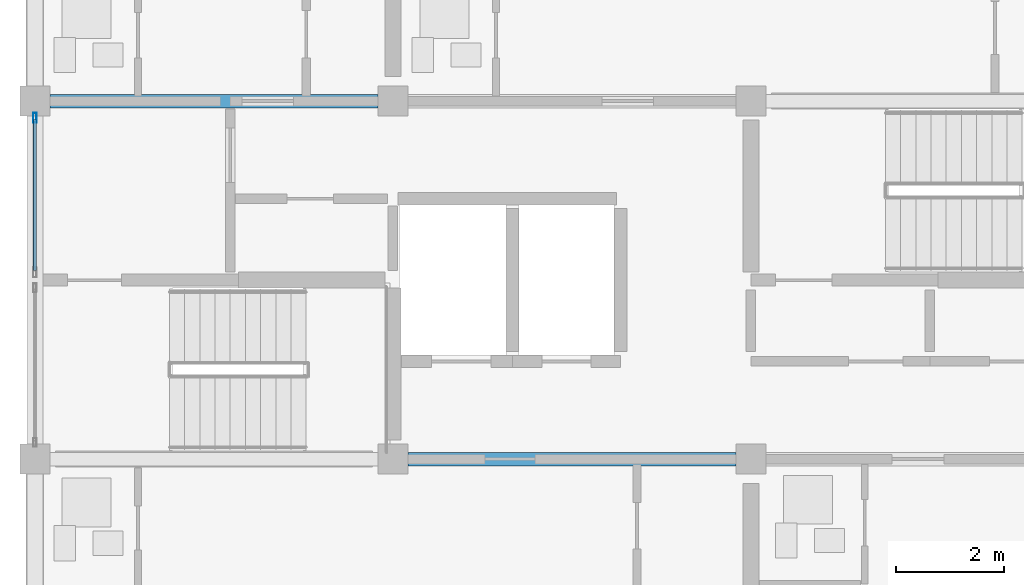
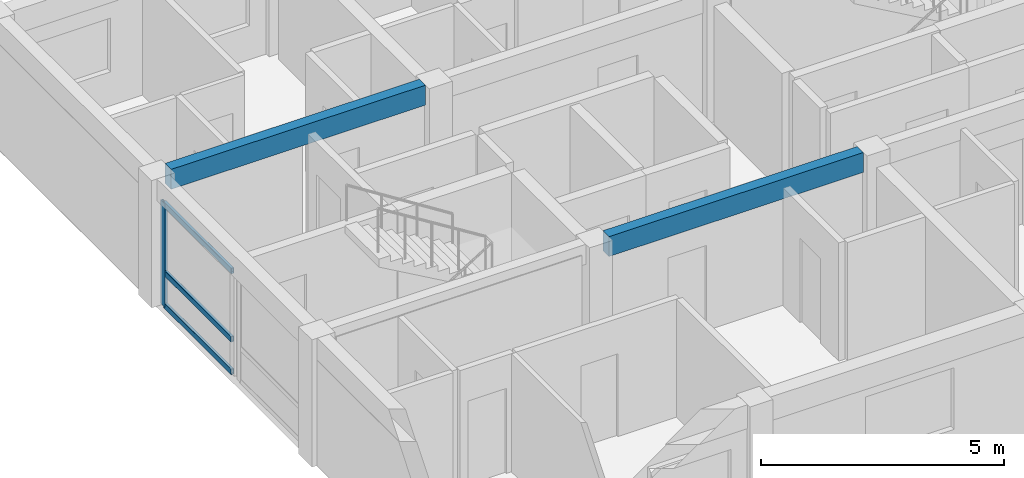
# One storey, part 16 of 53: 4 members, 2 beams, 1 element without a shape of its own.
"""IFC4 building model written with IfcOpenShell, lengths in metres."""

from ifc_helpers import new_model, si_unit, direction, frame, origin, origin_2d, place, context, subcontext, project, spatial, rectangle, hollow_rectangle, extrude, material, material_profile, profile_set, type_object, element, aggregate, save


model = new_model("IFC4")

# Units and contexts
model_context = context("Model", 3, precision=1e-05, world=origin(), true_north=direction((0.0, 1.0)))
body_context = subcontext(model_context, "Body", "Model", "MODEL_VIEW")
ifc_project = project(units=[si_unit("LENGTHUNIT", "METRE"), si_unit("AREAUNIT", "SQUARE_METRE"), si_unit("VOLUMEUNIT", "CUBIC_METRE"), si_unit("PLANEANGLEUNIT", "RADIAN"), si_unit("MASSUNIT", "GRAM", prefix="KILO")], contexts=[model_context])

# Site, building, storey
site_placement = place(None, origin())
site = spatial("IfcSite", under=ifc_project, at=site_placement, CompositionType="ELEMENT")
building_placement = place(site_placement, origin())
building = spatial("IfcBuilding", under=site, at=building_placement, Name="Kernevlak Ridge Housing Community", CompositionType="ELEMENT")
storey_placement = place(building_placement, frame((0.0, 0.0, 24.39990234375)))
storey = spatial("IfcBuildingStorey", under=building, at=storey_placement, Name="L07", CompositionType="ELEMENT", Elevation=24.39990234375)

# Beams
ifc_material_1 = material(Name="Concrete C35/45", Category="concrete")
ifc_material_profile_1 = material_profile(ifc_material_1, rectangle(XDim=0.25, YDim=0.5, at=origin_2d()), Name="RC 250x500")
ifc_profile_set_1 = profile_set([ifc_material_profile_1], Name="Concrete C35/45")
beam_type = type_object("IfcBeamType", Name="B-06", PredefinedType="T_BEAM", material=ifc_profile_set_1)
beam_1_placement = place(storey_placement, frame((22.47509765625, 82.60009765625, 2.9501953125), z_axis=(1.0, 0.0, 0.0), x_axis=(0.0, 1.0, 0.0)))
element("IfcBeam", 1, at=beam_1_placement, inside=storey, type_object=beam_type, Name="Beam B-06 L07 245", PredefinedType="T_BEAM", context=body_context, shape_type="SweptSolid", body=[
    extrude(rectangle(XDim=0.25, YDim=0.5, at=origin_2d()), origin(), (0.0, 0.0, 1.0), 6.0498046875),
])
beam_2_placement = place(storey_placement, frame((15.875, 89.199951171875, 2.9501953125), z_axis=(1.0, 0.0, 0.0), x_axis=(0.0, 1.0, 0.0)))
element("IfcBeam", 2, at=beam_2_placement, inside=storey, type_object=beam_type, Name="Beam B-06 L07 249", PredefinedType="T_BEAM", context=body_context, shape_type="SweptSolid", body=[
    extrude(rectangle(XDim=0.25, YDim=0.5, at=origin_2d()), origin(), (0.0, 0.0, 1.0), 6.050048828125),
])

# Curtain wall, members
ifc_material_2 = material(Name="Aluminium EN AW-6060 anodised and laminated glass", Category="aluminium")
curtain_wall_type = type_object("IfcCurtainWallType", Name="CW-08", PredefinedType="NOTDEFINED", material=ifc_material_2)
curtain_wall_placement = place(storey_placement, origin())
curtain_wall = element("IfcCurtainWall", 3, at=curtain_wall_placement, inside=storey, type_object=curtain_wall_type, Name="Curtain wall CW-08 CW-L07-023", PredefinedType="NOTDEFINED")
ifc_material_3 = material(Name="Aluminium EN AW-6060 anodised", Category="aluminium")
ifc_material_profile_2 = material_profile(ifc_material_3, hollow_rectangle(XDim=0.06494140625, YDim=0.179931640625, WallThickness=0.00439453125, InnerFilletRadius=0.001953125, OuterFilletRadius=0.00439453125, at=origin_2d()), Name="ALU 65x180x4.5")
ifc_profile_set_2 = profile_set([ifc_material_profile_2], Name="Aluminium EN AW-6060 anodised")
member_type_1 = type_object("IfcMemberType", Name="MU-03", PredefinedType="MULLION", material=ifc_profile_set_2)
member_1_placement = place(storey_placement, frame((15.60009765625, 88.892578125, 0.0), z_axis=(0.0, 0.0, 1.0), x_axis=(-1.0, 0.0, 0.0)))
member_1 = element("IfcMember", 4, at=member_1_placement, type_object=member_type_1, Name="CW-08 mullion 2", PredefinedType="MULLION", context=body_context, shape_type="SweptSolid", body=[
    extrude(hollow_rectangle(XDim=0.06494140625, YDim=0.179931640625, WallThickness=0.00439453125, InnerFilletRadius=0.001953125, OuterFilletRadius=0.00439453125, at=origin_2d()), origin(), (0.0, 0.0, 1.0), 2.60009765625),
])
ifc_material_profile_3 = material_profile(ifc_material_3, hollow_rectangle(XDim=0.06494140625, YDim=0.139892578125, WallThickness=0.00390625, InnerFilletRadius=0.001953125, OuterFilletRadius=0.00390625, at=origin_2d()), Name="ALU 65x140x4")
ifc_profile_set_3 = profile_set([ifc_material_profile_3], Name="Aluminium EN AW-6060 anodised")
member_type_2 = type_object("IfcMemberType", Name="TM-03", PredefinedType="USERDEFINED", material=ifc_profile_set_3)
member_2_placement = place(storey_placement, frame((15.60009765625, 86.074951171875, 0.03271484375), z_axis=(0.0, 1.0, 0.0), x_axis=(-1.0, 0.0, 0.0)))
member_2 = element("IfcMember", 5, at=member_2_placement, type_object=member_type_2, Name="CW-08 transom 1.1", ObjectType="TRANSOM", PredefinedType="USERDEFINED", context=body_context, shape_type="SweptSolid", body=[
    extrude(hollow_rectangle(XDim=0.06494140625, YDim=0.139892578125, WallThickness=0.00390625, InnerFilletRadius=0.001953125, OuterFilletRadius=0.00390625, at=origin_2d()), origin(), (0.0, 0.0, 1.0), 2.78515625),
])
member_3_placement = place(storey_placement, frame((15.60009765625, 86.074951171875, 0.85009765625), z_axis=(0.0, 1.0, 0.0), x_axis=(-1.0, 0.0, 0.0)))
member_3 = element("IfcMember", 6, at=member_3_placement, type_object=member_type_2, Name="CW-08 transom 1.2", ObjectType="TRANSOM", PredefinedType="USERDEFINED", context=body_context, shape_type="SweptSolid", body=[
    extrude(hollow_rectangle(XDim=0.06494140625, YDim=0.139892578125, WallThickness=0.00390625, InnerFilletRadius=0.001953125, OuterFilletRadius=0.00390625, at=origin_2d()), origin(), (0.0, 0.0, 1.0), 2.78515625),
])
member_4_placement = place(storey_placement, frame((15.60009765625, 86.074951171875, 2.567626953125), z_axis=(0.0, 1.0, 0.0), x_axis=(-1.0, 0.0, 0.0)))
member_4 = element("IfcMember", 7, at=member_4_placement, type_object=member_type_2, Name="CW-08 transom 1.3", ObjectType="TRANSOM", PredefinedType="USERDEFINED", context=body_context, shape_type="SweptSolid", body=[
    extrude(hollow_rectangle(XDim=0.06494140625, YDim=0.139892578125, WallThickness=0.00390625, InnerFilletRadius=0.001953125, OuterFilletRadius=0.00390625, at=origin_2d()), origin(), (0.0, 0.0, 1.0), 2.78515625),
])
aggregate(curtain_wall, [member_1, member_2, member_3, member_4])

save(model, "model.ifc")
